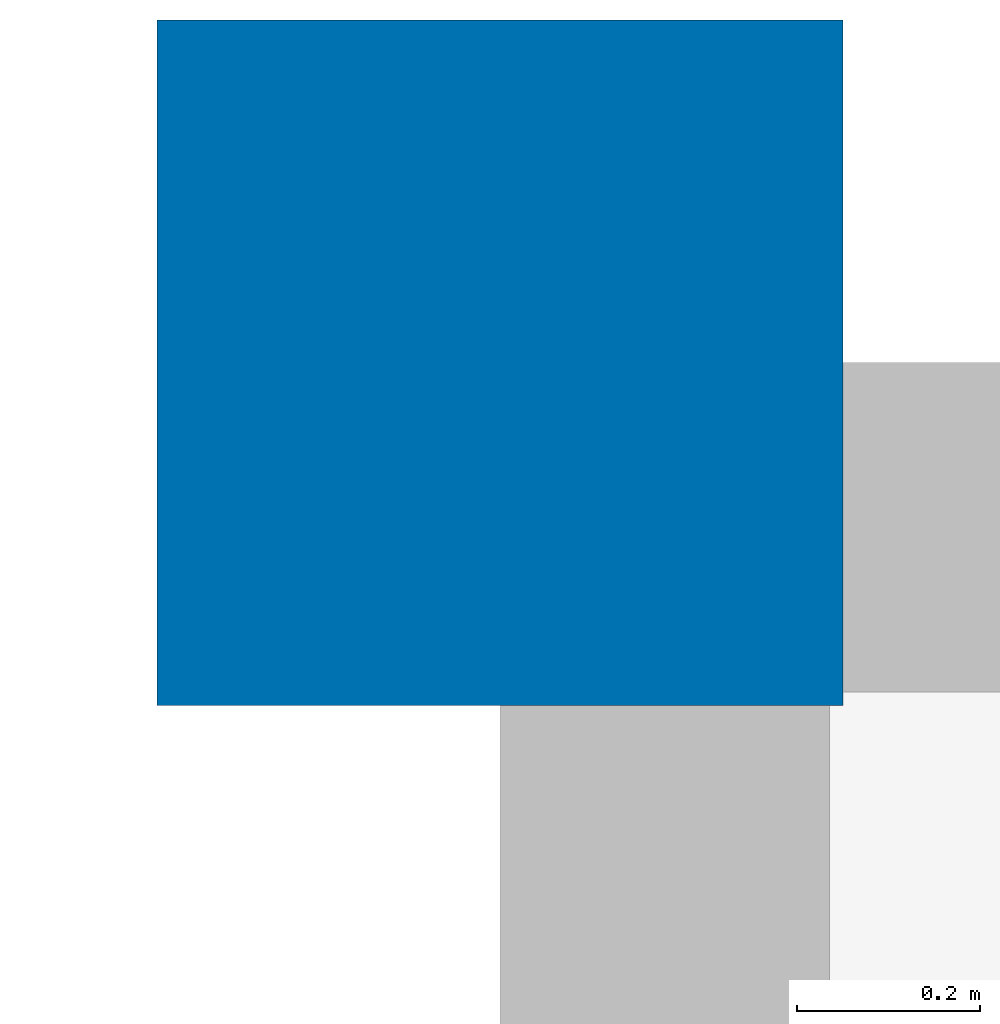
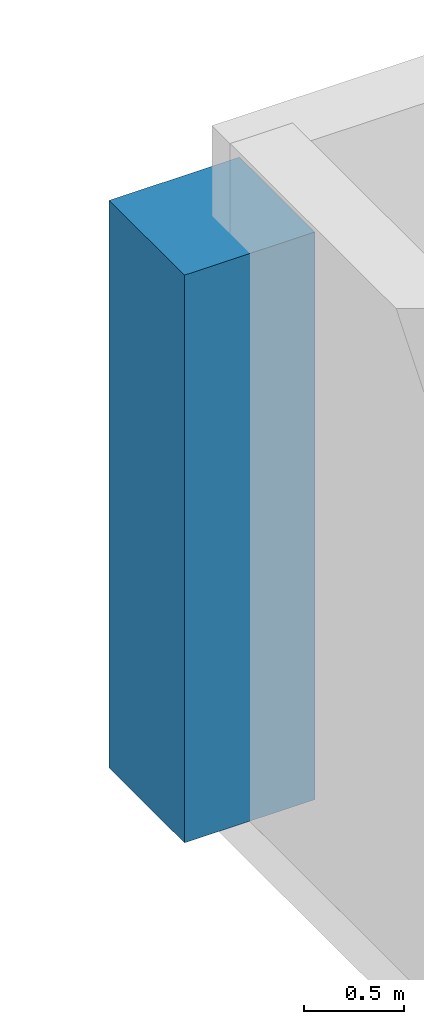
# One storey, part 12 of 59: 1 column.
"""IFC4 building model written with IfcOpenShell, lengths in metres."""

from ifc_helpers import new_model, si_unit, direction, frame, origin, origin_2d, place, context, subcontext, project, spatial, rectangle, extrude, material, material_profile, profile_set, type_object, element, save


model = new_model("IFC4")

# Units and contexts
model_context = context("Model", 3, precision=1e-05, world=origin(), true_north=direction((0.0, 1.0)))
body_context = subcontext(model_context, "Body", "Model", "MODEL_VIEW")
ifc_project = project(units=[si_unit("LENGTHUNIT", "METRE"), si_unit("AREAUNIT", "SQUARE_METRE"), si_unit("VOLUMEUNIT", "CUBIC_METRE"), si_unit("PLANEANGLEUNIT", "RADIAN"), si_unit("MASSUNIT", "GRAM", prefix="KILO")], contexts=[model_context])

# Site, building, storey
site_placement = place(None, origin())
site = spatial("IfcSite", under=ifc_project, at=site_placement, CompositionType="ELEMENT")
building_placement = place(site_placement, origin())
building = spatial("IfcBuilding", under=site, at=building_placement, Name="Varnklinge Art Gallery", CompositionType="ELEMENT")
storey_placement = place(building_placement, frame((0.0, 0.0, 9.52001953125)))
storey = spatial("IfcBuildingStorey", under=building, at=storey_placement, Name="L02", CompositionType="ELEMENT", Elevation=9.52001953125)

# Column
ifc_material = material(Name="Concrete C40/50", Category="concrete")
ifc_material_profile = material_profile(ifc_material, rectangle(XDim=0.75, YDim=0.75, at=origin_2d()), Name="RC 750x750")
ifc_profile_set = profile_set([ifc_material_profile], Name="Concrete C40/50")
column_type = type_object("IfcColumnType", Name="PIL-01", PredefinedType="PILASTER", material=ifc_profile_set)
column_placement = place(storey_placement, frame((114.39990234375, 113.5, 0.0), z_axis=(0.0, 0.0, 1.0), x_axis=(1.0, 0.0, 0.0)))
element("IfcColumn", 1, at=column_placement, inside=storey, type_object=column_type, Name="L02 Column V1C-1-8", PredefinedType="PILASTER", context=body_context, shape_type="SweptSolid", body=[
    extrude(rectangle(XDim=0.75, YDim=0.75, at=origin_2d()), origin(), (0.0, 0.0, 1.0), 3.449951171875),
])

save(model, "model.ifc")
